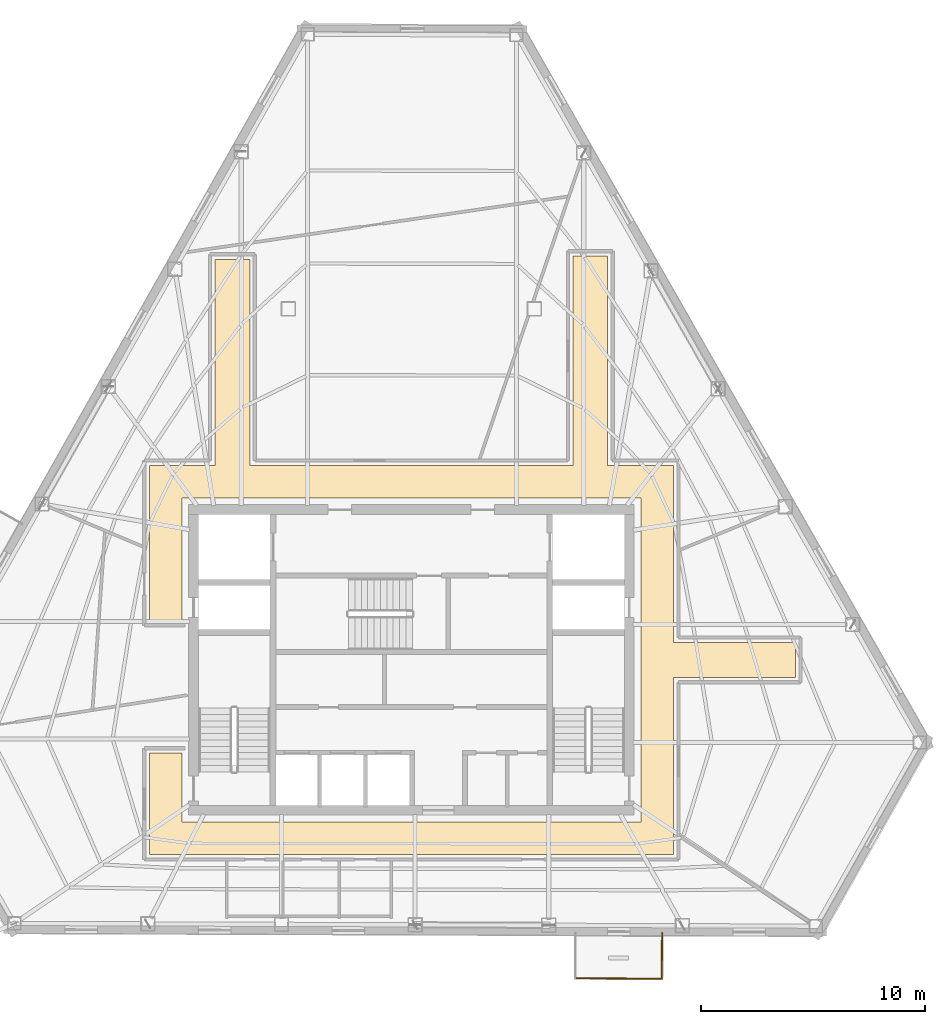
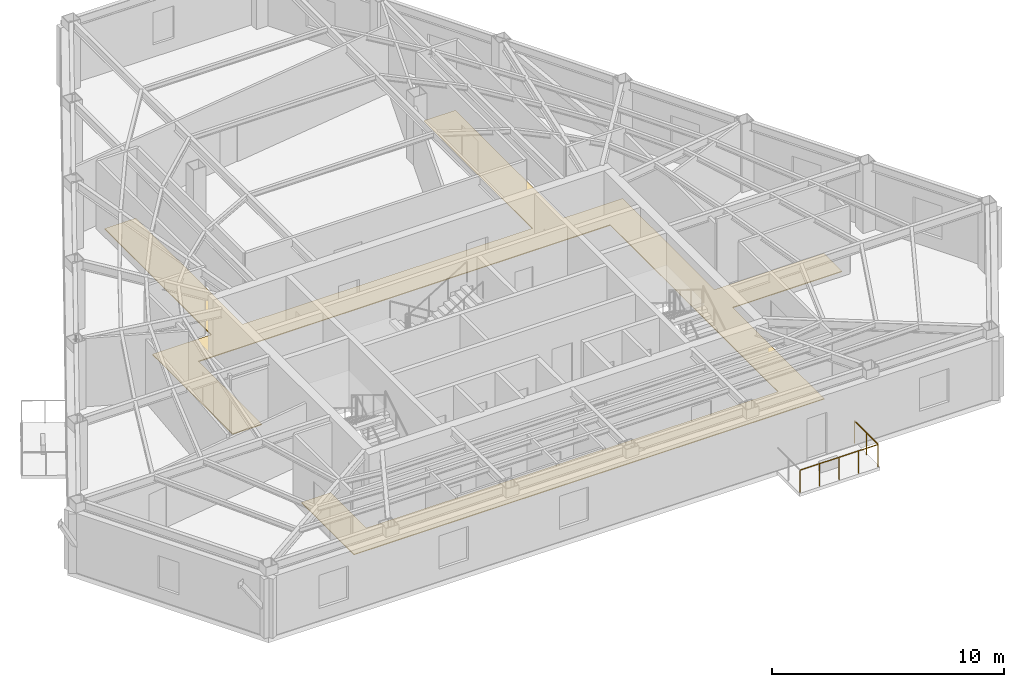
# One storey, part 12 of 13: 2 railings, 1 covering.
"""IFC4 building model written with IfcOpenShell, lengths in metres."""

from ifc_helpers import new_model, si_unit, direction, frame, origin, origin_2d, place, context, subcontext, project, spatial, polyline, circle, outline, extrude, material, layer, layer_set, type_object, element, save


model = new_model("IFC4")

# Units and contexts
model_context = context("Model", 3, precision=1e-05, world=origin(), true_north=direction((0.0, 1.0)))
body_context = subcontext(model_context, "Body", "Model", "MODEL_VIEW")
ifc_project = project(units=[si_unit("LENGTHUNIT", "METRE"), si_unit("AREAUNIT", "SQUARE_METRE"), si_unit("VOLUMEUNIT", "CUBIC_METRE"), si_unit("PLANEANGLEUNIT", "RADIAN"), si_unit("MASSUNIT", "GRAM", prefix="KILO")], contexts=[model_context])

# Site, building, storey
site_placement = place(None, origin())
site = spatial("IfcSite", under=ifc_project, at=site_placement, CompositionType="ELEMENT")
building_placement = place(site_placement, origin())
building = spatial("IfcBuilding", under=site, at=building_placement, Name="Kavelnor Concourse Tower", CompositionType="ELEMENT")
storey_placement = place(building_placement, frame((0.0, 0.0, 168.85009765625)))
storey = spatial("IfcBuildingStorey", under=building, at=storey_placement, Name="L42", CompositionType="ELEMENT", Elevation=168.85009765625)

# Covering
ifc_material_1 = material(Name="Honed bluestone and raised access floor finish", Category="masonry")
ifc_layer = layer(ifc_material_1, 0.0400390625, Name="Honed bluestone and raised access floor finish")
ifc_layer_set = layer_set([ifc_layer], Name="Honed bluestone and raised access floor finish")
covering_type = type_object("IfcCoveringType", Name="COV-FLOOR-STONE", PredefinedType="FLOORING", material=ifc_layer_set)
covering_placement = place(storey_placement, frame((0.0, 0.0, 0.001953125)))
element("IfcCovering", 1, at=covering_placement, inside=storey, type_object=covering_type, Name="L42 Honed Bluestone Floor Finish", PredefinedType="FLOORING", context=body_context, shape_type="SweptSolid", body=[
    extrude(outline(polyline([(29.219970703125, 24.800048828125), (29.219970703125, 34.016357421875), (30.780029296875, 34.016357421875), (30.780029296875, 24.800048828125), (45.219970703125, 24.800048828125), (45.219970703125, 34.155029296875), (46.780029296875, 34.155029296875), (46.780029296875, 24.800048828125), (49.719970703125, 24.800048828125), (49.719970703125, 16.8798828125), (55.179931640625, 16.8798828125), (55.179931640625, 15.320068359375), (49.719970703125, 15.320068359375), (49.719970703125, 7.39990234375), (26.280029296875, 7.39990234375), (26.280029296875, 11.929931640625), (27.739990234375, 11.929931640625), (27.739990234375, 8.860107421875), (48.260009765625, 8.860107421875), (48.260009765625, 23.340087890625), (27.739990234375, 23.340087890625), (27.739990234375, 17.8701171875), (26.280029296875, 17.8701171875), (26.280029296875, 24.800048828125), (29.219970703125, 24.800048828125)])), origin(), (0.0, 0.0, 1.0), 0.0400390625),
])

# Railings
ifc_material_2 = material(Name="Architectural bronze-anodised aluminium", Category="aluminium")
railing_type = type_object("IfcRailingType", Name="RLG-TERRACE-1200", PredefinedType="BALUSTRADE", material=ifc_material_2)
railing_1_placement = place(storey_placement, frame((45.322021484375, 1.86279296875, 0.0)))
element("IfcRailing", 2, at=railing_1_placement, inside=storey, type_object=railing_type, Name="L42 Tree Balcony 2 Guardrail F", PredefinedType="BALUSTRADE", context=body_context, shape_type="SweptSolid", body=[
    extrude(circle(Radius=0.02392578125, at=origin_2d()), frame((0.0, 0.0, 1.17578125), z_axis=(0.999994011275, -0.003460840084, 0.0), x_axis=(0.003460840084, 0.999994011275, 0.0)), (0.0, 0.0, 1.0), 3.8798828125),
    extrude(circle(Radius=0.02099609375, at=origin_2d()), origin(), (0.0, 0.0, 1.0), 1.15185546875),
    extrude(circle(Radius=0.02099609375, at=origin_2d()), frame((0.969970703125, -0.00341796875, 0.0)), (0.0, 0.0, 1.0), 1.15185546875),
    extrude(circle(Radius=0.02099609375, at=origin_2d()), frame((1.93994140625, -0.0068359375, 0.0)), (0.0, 0.0, 1.0), 1.15185546875),
    extrude(circle(Radius=0.02099609375, at=origin_2d()), frame((2.909912109375, -0.010009765625, 0.0)), (0.0, 0.0, 1.0), 1.15185546875),
    extrude(circle(Radius=0.02099609375, at=origin_2d()), frame((3.8798828125, -0.013427734375, 0.0)), (0.0, 0.0, 1.0), 1.15185546875),
])
railing_2_placement = place(storey_placement, frame((49.201904296875, 1.849365234375, 0.0)))
element("IfcRailing", 3, at=railing_2_placement, inside=storey, type_object=railing_type, Name="L42 Tree Balcony 2 Guardrail R", PredefinedType="BALUSTRADE", context=body_context, shape_type="SweptSolid", body=[
    extrude(circle(Radius=0.02392578125, at=origin_2d()), frame((0.0, 0.0, 1.17578125), z_axis=(0.00345359379, 0.999994036327, 0.0), x_axis=(-0.999994036327, 0.00345359379, 0.0)), (0.0, 0.0, 1.0), 2.050048828125),
    extrude(circle(Radius=0.02099609375, at=origin_2d()), origin(), (0.0, 0.0, 1.0), 1.15185546875),
    extrude(circle(Radius=0.02099609375, at=origin_2d()), frame((0.00341796875, 1.02490234375, 0.0)), (0.0, 0.0, 1.0), 1.15185546875),
    extrude(circle(Radius=0.02099609375, at=origin_2d()), frame((0.007080078125, 2.050048828125, 0.0)), (0.0, 0.0, 1.0), 1.15185546875),
])

save(model, "model.ifc")
